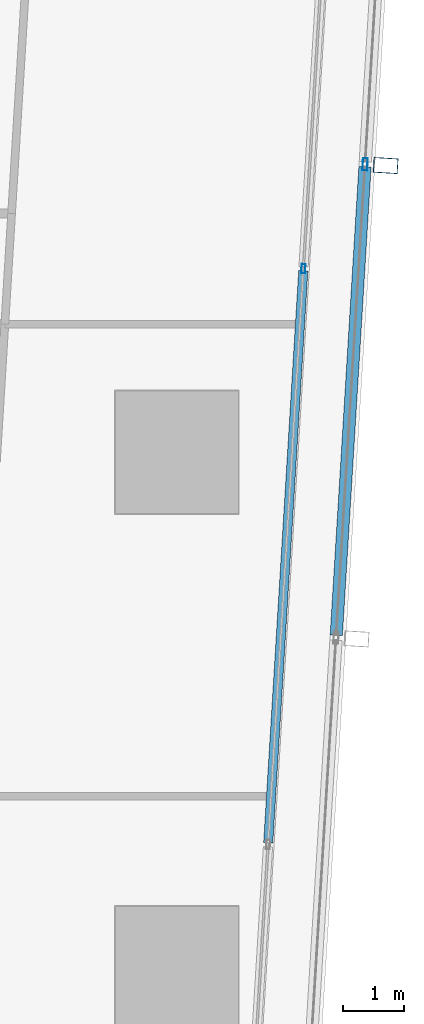
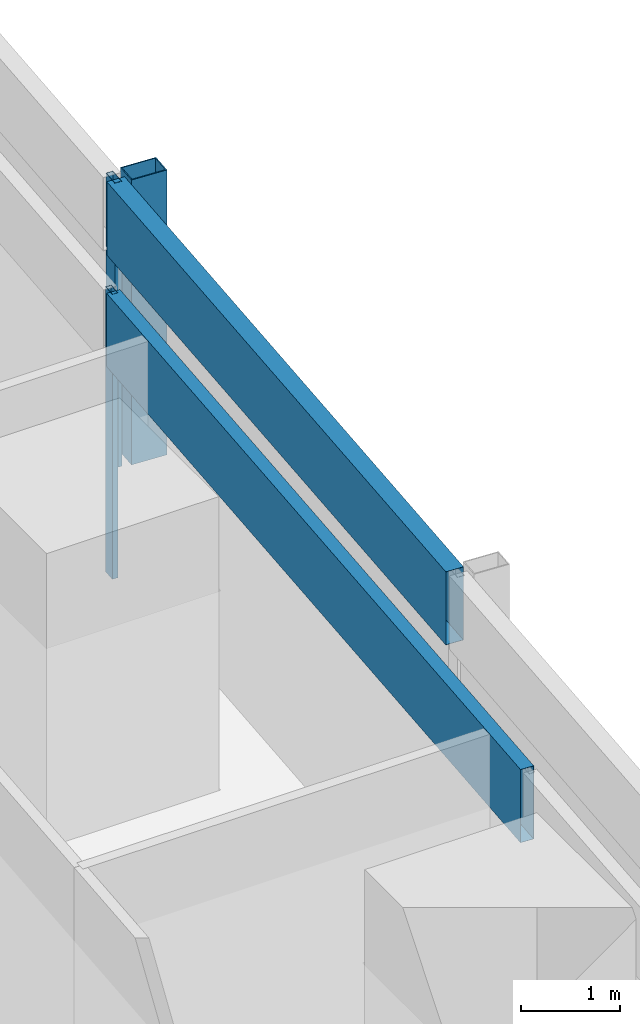
# One storey, part 24 of 39: 5 members, 2 elements without a shape of their own.
"""IFC4 building model written with IfcOpenShell, lengths in metres."""

from ifc_helpers import new_model, si_unit, direction, frame, origin, origin_2d, place, context, subcontext, project, spatial, hollow_rectangle, extrude, material, material_profile, profile_set, type_object, element, aggregate, save


model = new_model("IFC4")

# Units and contexts
model_context = context("Model", 3, precision=1e-05, world=origin(), true_north=direction((0.0, 1.0)))
body_context = subcontext(model_context, "Body", "Model", "MODEL_VIEW")
ifc_project = project(units=[si_unit("LENGTHUNIT", "METRE"), si_unit("AREAUNIT", "SQUARE_METRE"), si_unit("VOLUMEUNIT", "CUBIC_METRE"), si_unit("PLANEANGLEUNIT", "RADIAN"), si_unit("MASSUNIT", "GRAM", prefix="KILO")], contexts=[model_context])

# Site, building, storey
site_placement = place(None, origin())
site = spatial("IfcSite", under=ifc_project, at=site_placement, CompositionType="ELEMENT")
building_placement = place(site_placement, origin())
building = spatial("IfcBuilding", under=site, at=building_placement, Name="Rekha Terrace Tower", CompositionType="ELEMENT")
storey_placement = place(building_placement, frame((0.0, 0.0, 151.550048828125)))
storey = spatial("IfcBuildingStorey", under=building, at=storey_placement, Name="L38", CompositionType="ELEMENT", Elevation=151.550048828125)

# Curtain wall, member
ifc_material_1 = material(Name="Aluminium framing", Category="aluminium")
curtain_wall_type_1 = type_object("IfcCurtainWallType", Name="CW2 double skin outer glazing", PredefinedType="USERDEFINED", material=ifc_material_1)
curtain_wall_1_placement = place(storey_placement, origin())
curtain_wall_1 = element("IfcCurtainWall", 1, at=curtain_wall_1_placement, inside=storey, type_object=curtain_wall_type_1, Name="CW2 double skin outer glazing", ObjectType="DOUBLE SKIN OUTER GLAZING", PredefinedType="USERDEFINED")
ifc_material_2 = material(Name="Steel S355 with fluorocarbon finish", Category="steel")
ifc_material_profile_1 = material_profile(ifc_material_2, hollow_rectangle(XDim=0.25, YDim=0.39990234375, WallThickness=0.012451171875, at=origin_2d()), Name="RHS400x250x12.5")
ifc_profile_set_1 = profile_set([ifc_material_profile_1], Name="Steel S355 with fluorocarbon finish")
member_type_1 = type_object("IfcMemberType", Name="BL1 facade blade RHS 400 x 250", PredefinedType="USERDEFINED", material=ifc_profile_set_1)
member_1_placement = place(storey_placement, frame((70.601318359375, 38.27001953125, 0.0), z_axis=(0.0, 0.0, 1.0), x_axis=(0.061160031881, 0.998127973008, 0.0)))
member_1 = element("IfcMember", 2, at=member_1_placement, type_object=member_type_1, Name="Facade blade", ObjectType="FACADE BLADE", PredefinedType="USERDEFINED", context=body_context, shape_type="SweptSolid", body=[
    extrude(hollow_rectangle(XDim=0.25, YDim=0.39990234375, WallThickness=0.012451171875, at=origin_2d()), origin(), (0.0, 0.0, 1.0), 3.5),
])

# Curtain wall, members
curtain_wall_type_2 = type_object("IfcCurtainWallType", Name="CW1 double skin inner glazing", PredefinedType="USERDEFINED", material=ifc_material_1)
curtain_wall_2_placement = place(storey_placement, origin())
curtain_wall_2 = element("IfcCurtainWall", 3, at=curtain_wall_2_placement, inside=storey, type_object=curtain_wall_type_2, Name="CW1 double skin inner glazing", ObjectType="DOUBLE SKIN INNER GLAZING", PredefinedType="USERDEFINED")
ifc_material_3 = material(Name="Aluminium mullion section", Category="aluminium")
ifc_material_profile_2 = material_profile(ifc_material_3, hollow_rectangle(XDim=0.06494140625, YDim=0.14990234375, WallThickness=0.00390625, at=origin_2d()), Name="AL RHS 65x150")
ifc_profile_set_2 = profile_set([ifc_material_profile_2], Name="Aluminium mullion section")
member_type_2 = type_object("IfcMemberType", Name="CW1 mullion RHS 65 x 150", PredefinedType="MULLION", material=ifc_profile_set_2)
member_2_placement = place(storey_placement, frame((69.260986328125, 36.589599609375, 0.0), z_axis=(0.0, 0.0, 1.0), x_axis=(-0.998127987024, 0.061159803131, 0.0)))
member_2 = element("IfcMember", 4, at=member_2_placement, type_object=member_type_2, Name="CW1 mullion 3", PredefinedType="MULLION", context=body_context, shape_type="SweptSolid", body=[
    extrude(hollow_rectangle(XDim=0.06494140625, YDim=0.14990234375, WallThickness=0.00390625, at=origin_2d()), origin(), (0.0, 0.0, 1.0), 3.5),
])
ifc_material_4 = material(Name="Insulated aluminium spandrel box", Category="aluminium")
ifc_material_profile_3 = material_profile(ifc_material_4, hollow_rectangle(XDim=0.14990234375, YDim=0.89990234375, WallThickness=0.0029296875, at=origin_2d()), Name="AL SPANDREL BOX 150x900")
ifc_profile_set_3 = profile_set([ifc_material_profile_3], Name="Insulated aluminium spandrel box")
member_type_3 = type_object("IfcMemberType", Name="CW1 spandrel transom 150 x 900", PredefinedType="USERDEFINED", material=ifc_profile_set_3)
member_3_placement = place(storey_placement, frame((68.68798828125, 27.239990234375, 3.050048828125), z_axis=(0.06117493887, 0.998127059474, 0.0), x_axis=(-0.998127059474, 0.06117493887, 0.0)))
member_3 = element("IfcMember", 5, at=member_3_placement, type_object=member_type_3, Name="CW1 spandrel transom 2", ObjectType="TRANSOM", PredefinedType="USERDEFINED", context=body_context, shape_type="SweptSolid", body=[
    extrude(hollow_rectangle(XDim=0.14990234375, YDim=0.89990234375, WallThickness=0.0029296875, at=origin_2d()), origin(), (0.0, 0.0, 1.0), 9.334716796875),
])
aggregate(curtain_wall_2, [member_2, member_3])

# Member
ifc_material_profile_4 = material_profile(ifc_material_3, hollow_rectangle(XDim=0.080078125, YDim=0.199951171875, WallThickness=0.00390625, at=origin_2d()), Name="AL RHS 80x200")
ifc_profile_set_4 = profile_set([ifc_material_profile_4], Name="Aluminium mullion section")
member_type_4 = type_object("IfcMemberType", Name="CW2 mullion RHS 80 x 200", PredefinedType="MULLION", material=ifc_profile_set_4)
member_4_placement = place(storey_placement, frame((70.266845703125, 38.29052734375, 0.0), z_axis=(0.0, 0.0, 1.0), x_axis=(-0.998127987024, 0.061159803131, 0.0)))
member_4 = element("IfcMember", 6, at=member_4_placement, type_object=member_type_4, Name="CW2 mullion 4", PredefinedType="MULLION", context=body_context, shape_type="SweptSolid", body=[
    extrude(hollow_rectangle(XDim=0.080078125, YDim=0.199951171875, WallThickness=0.00390625, at=origin_2d()), origin(), (0.0, 0.0, 1.0), 3.5),
])

ifc_material_profile_5 = material_profile(ifc_material_4, hollow_rectangle(XDim=0.199951171875, YDim=0.89990234375, WallThickness=0.0029296875, at=origin_2d()), Name="AL SPANDREL BOX 200x900")
ifc_profile_set_5 = profile_set([ifc_material_profile_5], Name="Insulated aluminium spandrel box")
member_type_5 = type_object("IfcMemberType", Name="CW2 spandrel transom 200 x 900", PredefinedType="USERDEFINED", material=ifc_profile_set_5)
member_5_placement = place(storey_placement, frame((69.796630859375, 30.618408203125, 3.050048828125), z_axis=(0.061175629852, 0.998127017124, 0.0), x_axis=(-0.998127017124, 0.061175629852, 0.0)))
member_5 = element("IfcMember", 7, at=member_5_placement, type_object=member_type_5, Name="CW2 spandrel transom 3", ObjectType="TRANSOM", PredefinedType="USERDEFINED", context=body_context, shape_type="SweptSolid", body=[
    extrude(hollow_rectangle(XDim=0.199951171875, YDim=0.89990234375, WallThickness=0.0029296875, at=origin_2d()), origin(), (0.0, 0.0, 1.0), 7.646484375),
])

aggregate(curtain_wall_1, [member_4, member_5, member_1])

save(model, "model.ifc")
